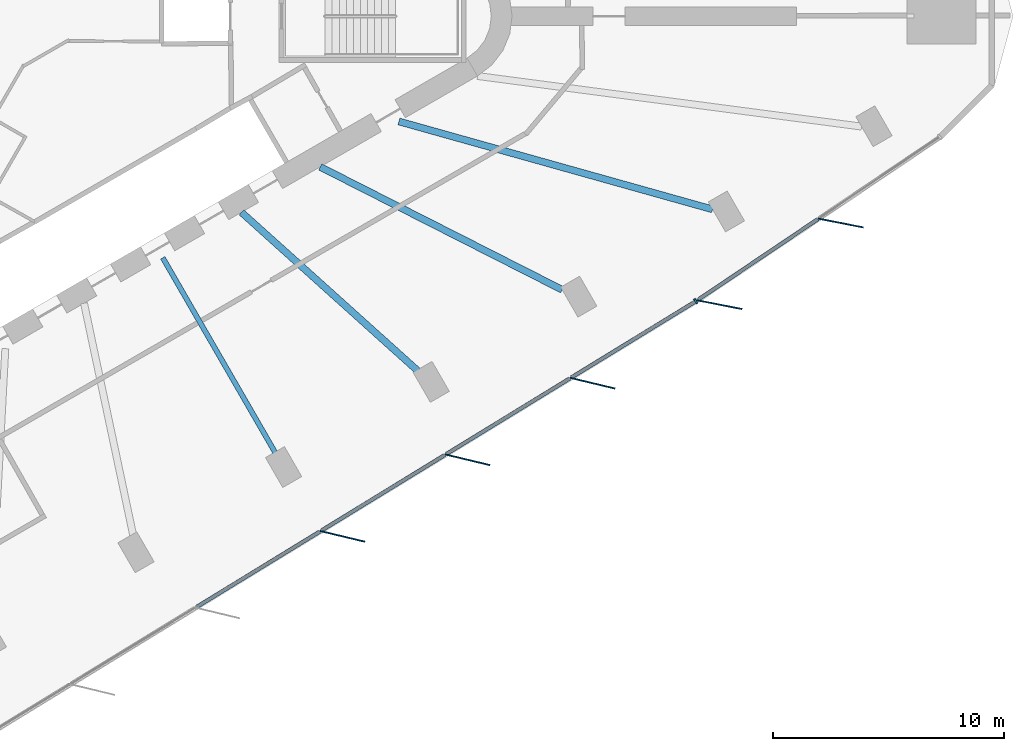
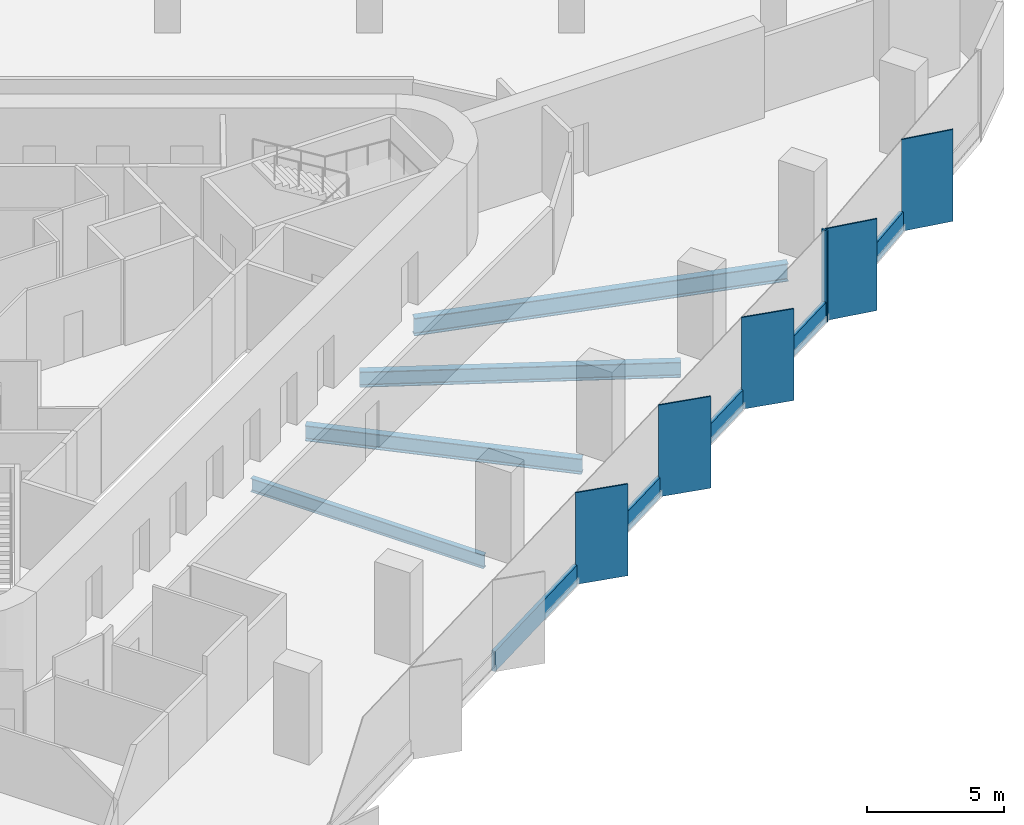
# One storey, part 3 of 14: 11 members, 4 beams, 2 elements without a shape of their own.
"""IFC4 building model written with IfcOpenShell, lengths in metres."""

from ifc_helpers import new_model, si_unit, direction, frame, origin, origin_2d, place, context, subcontext, project, spatial, rectangle, i_section, extrude, material, material_profile, profile_set, type_object, element, aggregate, save


model = new_model("IFC4")

# Units and contexts
model_context = context("Model", 3, precision=1e-05, world=origin(), true_north=direction((0.0, 1.0)))
body_context = subcontext(model_context, "Body", "Model", "MODEL_VIEW")
ifc_project = project(units=[si_unit("LENGTHUNIT", "METRE"), si_unit("AREAUNIT", "SQUARE_METRE"), si_unit("VOLUMEUNIT", "CUBIC_METRE"), si_unit("PLANEANGLEUNIT", "RADIAN"), si_unit("MASSUNIT", "GRAM", prefix="KILO")], contexts=[model_context])

# Site, building, storey
site_placement = place(None, origin())
site = spatial("IfcSite", under=ifc_project, at=site_placement, CompositionType="ELEMENT")
building_placement = place(site_placement, origin())
building = spatial("IfcBuilding", under=site, at=building_placement, Name="Tanit Gate Tower", CompositionType="ELEMENT")
storey_placement = place(building_placement, frame((0.0, 0.0, 143.89990234375)))
storey = spatial("IfcBuildingStorey", under=building, at=storey_placement, Name="L31", CompositionType="ELEMENT", Elevation=143.89990234375)

# Curtain wall, members
ifc_material_1 = material(Name="Aluminium bronze anodised and glass", Category="aluminium")
curtain_wall_type = type_object("IfcCurtainWallType", Name="Curtain wall typical low", PredefinedType="NOTDEFINED", material=ifc_material_1)
curtain_wall_1_placement = place(storey_placement, origin())
curtain_wall_1 = element("IfcCurtainWall", 1, at=curtain_wall_1_placement, inside=storey, type_object=curtain_wall_type, Name="Curtain wall L31 SE2", PredefinedType="NOTDEFINED")
ifc_material_2 = material(Name="Aluminium bronze anodised", Category="aluminium")
ifc_material_profile_1 = material_profile(ifc_material_2, rectangle(XDim=2.0, YDim=0.055908203125, at=origin_2d()), Name="56x2000 bronze fin mullion")
ifc_profile_set_1 = profile_set([ifc_material_profile_1], Name="Aluminium bronze anodised")
member_type_1 = type_object("IfcMemberType", Name="FIN MULLION 56x2000 bronze", PredefinedType="MULLION", material=ifc_profile_set_1)
member_1_placement = place(storey_placement, frame((13.8447265625, -22.560546875, -0.2998046875), z_axis=(0.0, 0.0, 1.0), x_axis=(-0.972310815553, 0.233691416098, 0.0)))
member_1 = element("IfcMember", 2, at=member_1_placement, type_object=member_type_1, Name="Fin mullion L31 SE2.4", PredefinedType="MULLION", context=body_context, shape_type="SweptSolid", body=[
    extrude(rectangle(XDim=2.0, YDim=0.055908203125, at=origin_2d()), origin(), (0.0, 0.0, 1.0), 4.099853515625),
])
member_2_placement = place(storey_placement, frame((19.26806640625, -19.239013671875, -0.2998046875), z_axis=(0.0, 0.0, 1.0), x_axis=(-0.972310815553, 0.233691416098, 0.0)))
member_2 = element("IfcMember", 3, at=member_2_placement, type_object=member_type_1, Name="Fin mullion L31 SE2.5", PredefinedType="MULLION", context=body_context, shape_type="SweptSolid", body=[
    extrude(rectangle(XDim=2.0, YDim=0.055908203125, at=origin_2d()), origin(), (0.0, 0.0, 1.0), 4.099853515625),
])
member_3_placement = place(storey_placement, frame((24.691650390625, -15.917236328125, -0.2998046875), z_axis=(0.0, 0.0, 1.0), x_axis=(-0.972310815553, 0.233691416098, 0.0)))
member_3 = element("IfcMember", 4, at=member_3_placement, type_object=member_type_1, Name="Fin mullion L31 SE2.6", PredefinedType="MULLION", context=body_context, shape_type="SweptSolid", body=[
    extrude(rectangle(XDim=2.0, YDim=0.055908203125, at=origin_2d()), origin(), (0.0, 0.0, 1.0), 4.099853515625),
])

curtain_wall_2_placement = place(storey_placement, origin())
curtain_wall_2 = element("IfcCurtainWall", 5, at=curtain_wall_2_placement, inside=storey, type_object=curtain_wall_type, Name="Curtain wall L31 SE3", PredefinedType="NOTDEFINED")
member_4_placement = place(storey_placement, frame((30.19140625, -12.511474609375, -0.2998046875), z_axis=(0.0, 0.0, 1.0), x_axis=(-0.981446047201, 0.191738510566, 0.0)))
member_4 = element("IfcMember", 6, at=member_4_placement, type_object=member_type_1, Name="Fin mullion L31 SE3.1", PredefinedType="MULLION", context=body_context, shape_type="SweptSolid", body=[
    extrude(rectangle(XDim=2.0, YDim=0.055908203125, at=origin_2d()), origin(), (0.0, 0.0, 1.0), 4.099853515625),
])
member_5_placement = place(storey_placement, frame((35.45166015625, -8.970458984375, -0.2998046875), z_axis=(0.0, 0.0, 1.0), x_axis=(-0.981446047201, 0.191738510566, 0.0)))
member_5 = element("IfcMember", 7, at=member_5_placement, type_object=member_type_1, Name="Fin mullion L31 SE3.2", PredefinedType="MULLION", context=body_context, shape_type="SweptSolid", body=[
    extrude(rectangle(XDim=2.0, YDim=0.055908203125, at=origin_2d()), origin(), (0.0, 0.0, 1.0), 4.099853515625),
])

# Member
ifc_material_3 = material(Name="Aluminium bronze anodised", Category="aluminium")
ifc_material_profile_2 = material_profile(ifc_material_3, rectangle(XDim=0.239990234375, YDim=0.080078125, at=origin_2d()), Name="80x240 bronze mullion")
ifc_profile_set_2 = profile_set([ifc_material_profile_2], Name="Aluminium bronze anodised")
member_type_2 = type_object("IfcMemberType", Name="Mullion 80x240 typical low", PredefinedType="MULLION", material=ifc_profile_set_2)
member_6_placement = place(storey_placement, frame((29.164794921875, -12.3671875, -0.2998046875), z_axis=(0.0, 0.0, 1.0), x_axis=(-0.522282786071, 0.852772356127, 0.0)))
member_6 = element("IfcMember", 8, at=member_6_placement, type_object=member_type_2, Name="Mullion L31 SE2.7", PredefinedType="MULLION", context=body_context, shape_type="SweptSolid", body=[
    extrude(rectangle(XDim=0.239990234375, YDim=0.080078125, at=origin_2d()), origin(), (0.0, 0.0, 1.0), 4.099853515625),
])

# Beams
ifc_material_4 = material(Name="Steel S355", Category="steel")
ifc_material_profile_3 = material_profile(ifc_material_4, i_section(OverallWidth=0.300048828125, OverallDepth=0.68994140625, WebThickness=0.014404296875, FlangeThickness=0.027099609375, FilletRadius=0.027099609375, at=origin_2d()), Name="HEA 700")
ifc_profile_set_3 = profile_set([ifc_material_profile_3], Name="Steel S355")
beam_type_1 = type_object("IfcBeamType", Name="RADIAL GIRDER HEA 700 S355", PredefinedType="BEAM", material=ifc_profile_set_3)
beam_1_placement = place(storey_placement, frame((17.16015625, -15.427978515625, -0.64501953125), z_axis=(-0.743635434567, 0.668585327731, 0.0), x_axis=(-0.668585327731, -0.743635434567, 0.0)))
element("IfcBeam", 9, at=beam_1_placement, inside=storey, type_object=beam_type_1, Name="RADIAL GIRDER", PredefinedType="BEAM", context=body_context, shape_type="SweptSolid", body=[
    extrude(i_section(OverallWidth=0.300048828125, OverallDepth=0.68994140625, WebThickness=0.014404296875, FlangeThickness=0.027099609375, FilletRadius=0.027099609375, at=origin_2d()), origin(), (0.0, 0.0, 1.0), 10.347900390625),
])
beam_2_placement = place(storey_placement, frame((23.3720703125, -11.865966796875, -0.64501953125), z_axis=(-0.891663548412, 0.452698703813, 0.0), x_axis=(-0.452698703813, -0.891663548412, 0.0)))
element("IfcBeam", 10, at=beam_2_placement, inside=storey, type_object=beam_type_1, Name="RADIAL GIRDER", PredefinedType="BEAM", context=body_context, shape_type="SweptSolid", body=[
    extrude(i_section(OverallWidth=0.300048828125, OverallDepth=0.68994140625, WebThickness=0.014404296875, FlangeThickness=0.027099609375, FilletRadius=0.027099609375, at=origin_2d()), origin(), (0.0, 0.0, 1.0), 11.76806640625),
])
ifc_material_5 = material(Name="Steel S355", Category="steel")
ifc_material_profile_4 = material_profile(ifc_material_5, i_section(OverallWidth=0.300048828125, OverallDepth=0.7900390625, WebThickness=0.014892578125, FlangeThickness=0.028076171875, FilletRadius=0.030029296875, at=origin_2d()), Name="HEA 800")
ifc_profile_set_4 = profile_set([ifc_material_profile_4], Name="Steel S355")
beam_type_2 = type_object("IfcBeamType", Name="RADIAL GIRDER HEA 800 S355", PredefinedType="BEAM", material=ifc_profile_set_4)
beam_3_placement = place(storey_placement, frame((29.894775390625, -8.380615234375, -0.69482421875), z_axis=(-0.962877094129, 0.269940181523, 0.0), x_axis=(-0.269940181523, -0.962877094129, 0.0)))
element("IfcBeam", 11, at=beam_3_placement, inside=storey, type_object=beam_type_2, Name="RADIAL GIRDER", PredefinedType="BEAM", context=body_context, shape_type="SweptSolid", body=[
    extrude(i_section(OverallWidth=0.300048828125, OverallDepth=0.7900390625, WebThickness=0.014892578125, FlangeThickness=0.028076171875, FilletRadius=0.030029296875, at=origin_2d()), origin(), (0.0, 0.0, 1.0), 14.126220703125),
])
ifc_material_6 = material(Name="Steel S355", Category="steel")
ifc_material_profile_5 = material_profile(ifc_material_6, i_section(OverallWidth=0.219970703125, OverallDepth=0.60009765625, WebThickness=0.011962890625, FlangeThickness=0.01904296875, FilletRadius=0.02392578125, at=origin_2d()), Name="IPE 600")
ifc_profile_set_5 = profile_set([ifc_material_profile_5], Name="Steel S355")
beam_type_3 = type_object("IfcBeamType", Name="RADIAL GIRDER IPE 600 S355", PredefinedType="BEAM", material=ifc_profile_set_5)
beam_4_placement = place(storey_placement, frame((10.970703125, -19.001708984375, -0.599853515625), z_axis=(-0.500005971936, 0.866021955858, 0.0), x_axis=(-0.866021955858, -0.500005971936, 0.0)))
element("IfcBeam", 12, at=beam_4_placement, inside=storey, type_object=beam_type_3, Name="RADIAL GIRDER", PredefinedType="BEAM", context=body_context, shape_type="SweptSolid", body=[
    extrude(i_section(OverallWidth=0.219970703125, OverallDepth=0.60009765625, WebThickness=0.011962890625, FlangeThickness=0.01904296875, FilletRadius=0.02392578125, at=origin_2d()), origin(), (0.0, 0.0, 1.0), 9.83935546875),
])

# Member
ifc_material_7 = material(Name="Aluminium bronze anodised", Category="aluminium")
ifc_material_profile_6 = material_profile(ifc_material_7, rectangle(XDim=0.159912109375, YDim=0.89990234375, at=origin_2d()), Name="160x900 bronze transom")
ifc_profile_set_6 = profile_set([ifc_material_profile_6], Name="Aluminium bronze anodised")
member_type_3 = type_object("IfcMemberType", Name="Transom 160x900 typical low", PredefinedType="USERDEFINED", material=ifc_profile_set_6)
member_7_placement = place(storey_placement, frame((7.5048828125, -25.6328125, 0.150146484375), z_axis=(0.852785581327, 0.522261191628, 0.0), x_axis=(-0.522261191628, 0.852785581327, 0.0)))
member_7 = element("IfcMember", 13, at=member_7_placement, type_object=member_type_3, Name="Transom L31 SE2.3", ObjectType="TRANSOM", PredefinedType="USERDEFINED", context=body_context, shape_type="SweptSolid", body=[
    extrude(rectangle(XDim=0.159912109375, YDim=0.89990234375, at=origin_2d()), origin(), (0.0, 0.0, 1.0), 6.280029296875),
])

member_8_placement = place(storey_placement, frame((12.928466796875, -22.311279296875, 0.150146484375), z_axis=(0.852774977088, 0.522278506597, 0.0), x_axis=(-0.522278506597, 0.852774977088, 0.0)))
member_8 = element("IfcMember", 14, at=member_8_placement, type_object=member_type_3, Name="Transom L31 SE2.4", ObjectType="TRANSOM", PredefinedType="USERDEFINED", context=body_context, shape_type="SweptSolid", body=[
    extrude(rectangle(XDim=0.159912109375, YDim=0.89990234375, at=origin_2d()), origin(), (0.0, 0.0, 1.0), 6.27978515625),
])

member_9_placement = place(storey_placement, frame((18.35205078125, -18.989501953125, 0.150146484375), z_axis=(0.852774977088, 0.522278506597, 0.0), x_axis=(-0.522278506597, 0.852774977088, 0.0)))
member_9 = element("IfcMember", 15, at=member_9_placement, type_object=member_type_3, Name="Transom L31 SE2.5", ObjectType="TRANSOM", PredefinedType="USERDEFINED", context=body_context, shape_type="SweptSolid", body=[
    extrude(rectangle(XDim=0.159912109375, YDim=0.89990234375, at=origin_2d()), origin(), (0.0, 0.0, 1.0), 6.27978515625),
])

member_10_placement = place(storey_placement, frame((23.775390625, -15.66796875, 0.150146484375), z_axis=(0.852774977088, 0.522278506597, 0.0), x_axis=(-0.522278506597, 0.852774977088, 0.0)))
member_10 = element("IfcMember", 16, at=member_10_placement, type_object=member_type_3, Name="Transom L31 SE2.6", ObjectType="TRANSOM", PredefinedType="USERDEFINED", context=body_context, shape_type="SweptSolid", body=[
    extrude(rectangle(XDim=0.159912109375, YDim=0.89990234375, at=origin_2d()), origin(), (0.0, 0.0, 1.0), 6.27978515625),
])

aggregate(curtain_wall_1, [member_1, member_2, member_3, member_6, member_7, member_8, member_9, member_10])

member_11_placement = place(storey_placement, frame((29.26513671875, -12.3017578125, 0.150146484375), z_axis=(0.829564474487, 0.55841094426, 0.0), x_axis=(-0.55841094426, 0.829564474487, 0.0)))
member_11 = element("IfcMember", 17, at=member_11_placement, type_object=member_type_3, Name="Transom L31 SE3.1", ObjectType="TRANSOM", PredefinedType="USERDEFINED", context=body_context, shape_type="SweptSolid", body=[
    extrude(rectangle(XDim=0.159912109375, YDim=0.89990234375, at=origin_2d()), origin(), (0.0, 0.0, 1.0), 6.26123046875),
])

aggregate(curtain_wall_2, [member_4, member_5, member_11])

save(model, "model.ifc")
